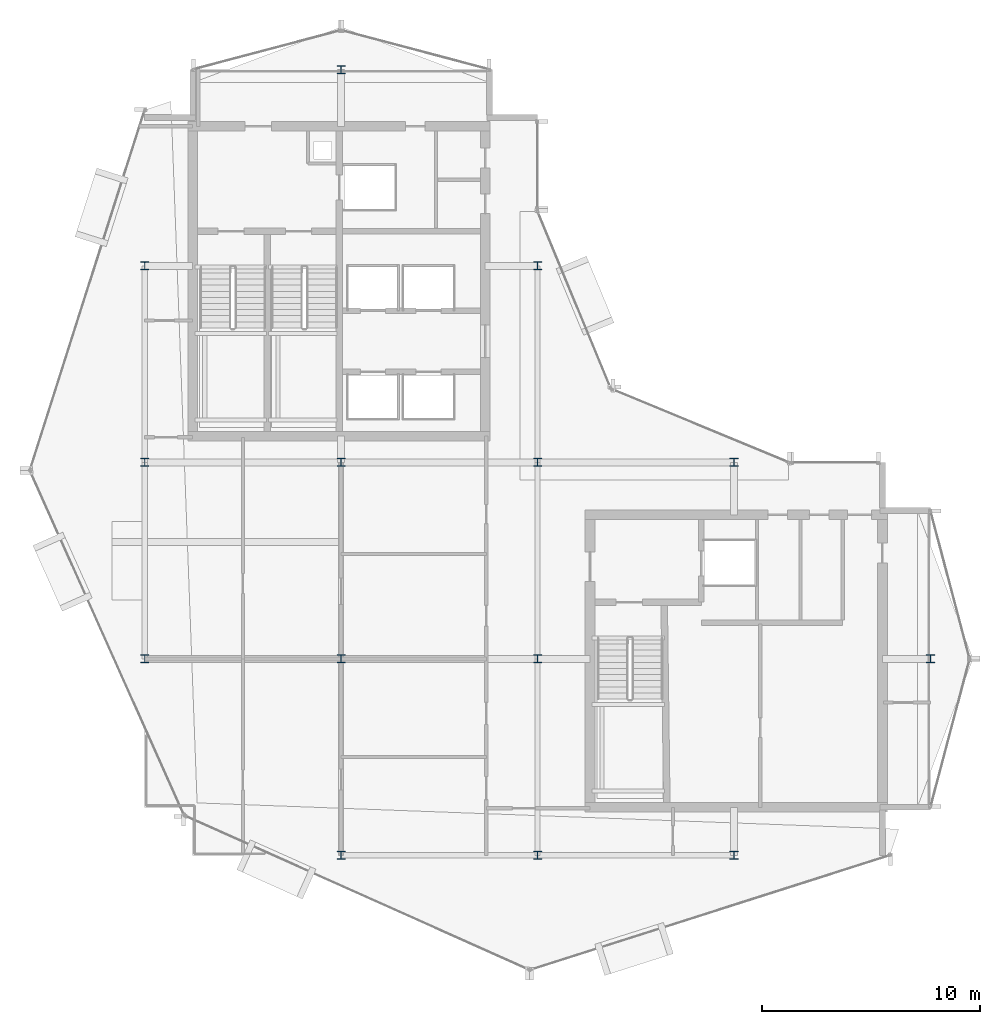
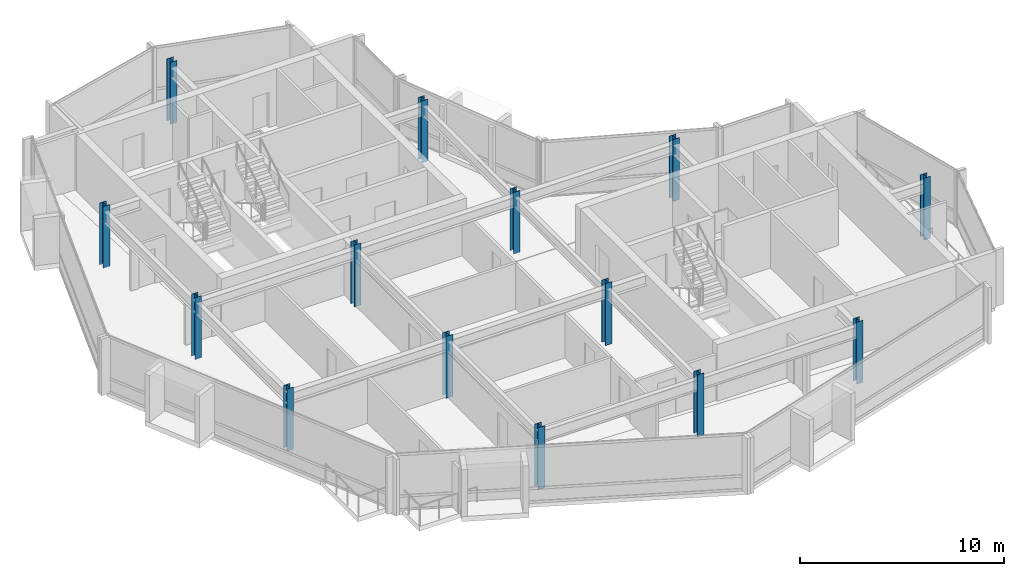
# One storey, part 1 of 19: 14 columns.
"""IFC4 building model written with IfcOpenShell, lengths in metres."""

from ifc_helpers import new_model, si_unit, direction, frame, origin, origin_2d, place, context, subcontext, project, spatial, i_section, extrude, material, material_profile, profile_set, type_object, element, save


model = new_model("IFC4")

# Units and contexts
model_context = context("Model", 3, precision=1e-05, world=origin(), true_north=direction((0.0, 1.0)))
body_context = subcontext(model_context, "Body", "Model", "MODEL_VIEW")
ifc_project = project(units=[si_unit("LENGTHUNIT", "METRE"), si_unit("AREAUNIT", "SQUARE_METRE"), si_unit("VOLUMEUNIT", "CUBIC_METRE"), si_unit("PLANEANGLEUNIT", "RADIAN"), si_unit("MASSUNIT", "GRAM", prefix="KILO")], contexts=[model_context])

# Site, building, storey
site_placement = place(None, origin())
site = spatial("IfcSite", under=ifc_project, at=site_placement, CompositionType="ELEMENT")
building_placement = place(site_placement, origin())
building = spatial("IfcBuilding", under=site, at=building_placement, Name="Solvaryn Broadcast Tower", CompositionType="ELEMENT")
storey_placement = place(building_placement, frame((0.0, 0.0, 293.699951171875)))
storey = spatial("IfcBuildingStorey", under=building, at=storey_placement, Name="L74", CompositionType="ELEMENT", Elevation=293.699951171875)

# Columns
ifc_material_1 = material(Name="Steel ASTM A913 Grade 65", Category="steel")
ifc_material_profile_1 = material_profile(ifc_material_1, i_section(OverallWidth=0.373046875, OverallDepth=0.367919921875, WebThickness=0.014892578125, FlangeThickness=0.02392578125, FilletRadius=0.014892578125, at=origin_2d()))
ifc_profile_set_1 = profile_set([ifc_material_profile_1], Name="Steel ASTM A913 Grade 65")
column_type_1 = type_object("IfcColumnType", Name="COL-C11E-W14X120", PredefinedType="COLUMN", material=ifc_profile_set_1)
for number, where, z_axis, x_axis, name in (
    (1, (9.0, 18.0, 0.0), (0.0, 0.0, 1.0), (1.0, 0.0, 0.0), "L74 Column (9.0, 18.0)"),
    (2, (9.0, 27.0, 0.0), (0.0, 0.0, 1.0), (1.0, 0.0, 0.0), "L74 Column (9.0, 27.0)"),
    (3, (9.0, 36.0, 0.0), (0.0, 0.0, 1.0), (1.0, 0.0, 0.0), "L74 Column (9.0, 36.0)"),
    (4, (18.0, 9.0, 0.0), (0.0, 0.0, 1.0), (1.0, 0.0, 0.0), "L74 Column (18.0, 9.0)"),
    (5, (18.0, 45.0, 0.0), (0.0, 0.0, 1.0), (1.0, 0.0, 0.0), "L74 Column (18.0, 45.0)"),
    (6, (27.0, 9.0, 0.0), (0.0, 0.0, 1.0), (1.0, 0.0, 0.0), "L74 Column (27.0, 9.0)"),
    (7, (27.0, 36.0, 0.0), (0.0, 0.0, 1.0), (1.0, 0.0, 0.0), "L74 Column (27.0, 36.0)"),
    (8, (36.0, 9.0, 0.0), (0.0, 0.0, 1.0), (1.0, 0.0, 0.0), "L74 Column (36.0, 9.0)"),
    (9, (36.0, 27.0, 0.0), (0.0, 0.0, 1.0), (1.0, 0.0, 0.0), "L74 Column (36.0, 27.0)"),
    (10, (45.0, 18.0, 0.0), (0.0, 0.0, 1.0), (1.0, 0.0, 0.0), "L74 Column (45.0, 18.0)"),
):
    element("IfcColumn", number, at=place(storey_placement, frame(where, z_axis=z_axis, x_axis=x_axis)), inside=storey, type_object=column_type_1, Name=name, PredefinedType="COLUMN", context=body_context, shape_type="SweptSolid", body=[
        extrude(i_section(OverallWidth=0.373046875, OverallDepth=0.367919921875, WebThickness=0.014892578125, FlangeThickness=0.02392578125, FilletRadius=0.014892578125, at=origin_2d()), origin(), (0.0, 0.0, 1.0), 3.699951171875),
    ])
ifc_material_2 = material(Name="Steel ASTM A913 Grade 65", Category="steel")
ifc_material_profile_2 = material_profile(ifc_material_2, i_section(OverallWidth=0.373046875, OverallDepth=0.367919921875, WebThickness=0.014892578125, FlangeThickness=0.02392578125, FilletRadius=0.014892578125, at=origin_2d()))
ifc_profile_set_2 = profile_set([ifc_material_profile_2], Name="Steel ASTM A913 Grade 65")
column_type_2 = type_object("IfcColumnType", Name="COL-C11I-W14X120", PredefinedType="COLUMN", material=ifc_profile_set_2)
for number, where, z_axis, x_axis, name in (
    (11, (18.0, 18.0, 0.0), (0.0, 0.0, 1.0), (1.0, 0.0, 0.0), "L74 Column (18.0, 18.0)"),
    (12, (18.0, 27.0, 0.0), (0.0, 0.0, 1.0), (1.0, 0.0, 0.0), "L74 Column (18.0, 27.0)"),
    (13, (27.0, 18.0, 0.0), (0.0, 0.0, 1.0), (1.0, 0.0, 0.0), "L74 Column (27.0, 18.0)"),
    (14, (27.0, 27.0, 0.0), (0.0, 0.0, 1.0), (1.0, 0.0, 0.0), "L74 Column (27.0, 27.0)"),
):
    element("IfcColumn", number, at=place(storey_placement, frame(where, z_axis=z_axis, x_axis=x_axis)), inside=storey, type_object=column_type_2, Name=name, PredefinedType="COLUMN", context=body_context, shape_type="SweptSolid", body=[
        extrude(i_section(OverallWidth=0.373046875, OverallDepth=0.367919921875, WebThickness=0.014892578125, FlangeThickness=0.02392578125, FilletRadius=0.014892578125, at=origin_2d()), origin(), (0.0, 0.0, 1.0), 3.699951171875),
    ])

save(model, "model.ifc")
